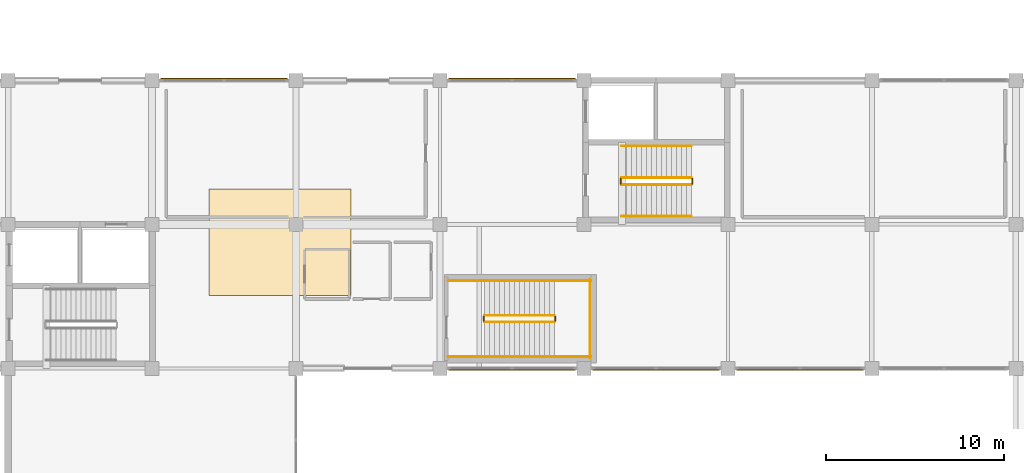
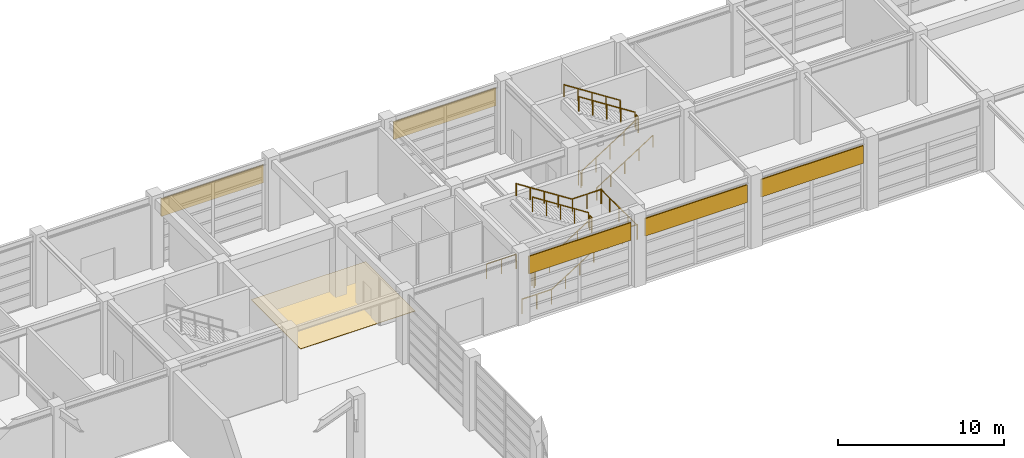
# One storey, part 50 of 52: 17 railings, 5 shading devices, 1 covering.
"""IFC4 building model written with IfcOpenShell, lengths in metres."""

from ifc_helpers import new_model, si_unit, direction, frame, origin, origin_2d, place, context, subcontext, project, spatial, rectangle, circle, extrude, material, layer, layer_set, type_object, element, save


model = new_model("IFC4")

# Units and contexts
model_context = context("Model", 3, precision=1e-05, world=origin(), true_north=direction((0.0, 1.0)))
body_context = subcontext(model_context, "Body", "Model", "MODEL_VIEW")
ifc_project = project(units=[si_unit("LENGTHUNIT", "METRE"), si_unit("AREAUNIT", "SQUARE_METRE"), si_unit("VOLUMEUNIT", "CUBIC_METRE"), si_unit("PLANEANGLEUNIT", "RADIAN"), si_unit("MASSUNIT", "GRAM", prefix="KILO")], contexts=[model_context])

# Site, building, storey
site_placement = place(None, origin())
site = spatial("IfcSite", under=ifc_project, at=site_placement, CompositionType="ELEMENT")
building_placement = place(site_placement, origin())
building = spatial("IfcBuilding", under=site, at=building_placement, Name="Parian Resonance Hall", CompositionType="ELEMENT")
storey_placement = place(building_placement, origin())
storey = spatial("IfcBuildingStorey", under=building, at=storey_placement, Name="L00", CompositionType="ELEMENT", Elevation=0.0)

# Covering
ifc_material_1 = material(Name="Cebu marble-chip lime terrazzo flooring", Category="masonry")
ifc_layer_1 = layer(ifc_material_1, 0.030029296875)
ifc_layer_set_1 = layer_set([ifc_layer_1], Name="Cebu marble-chip lime terrazzo flooring")
covering_type = type_object("IfcCoveringType", Name="COV-FLOOR-TERRAZZO", PredefinedType="FLOORING", material=ifc_layer_set_1)
covering_placement = place(storey_placement, frame((72.0, 80.0, 0.0), z_axis=(0.0, 0.0, 1.0), x_axis=(1.0, 0.0, 0.0)))
element("IfcCovering", 1, at=covering_placement, inside=storey, type_object=covering_type, Name="Cloister Gallery terrazzo flooring", PredefinedType="FLOORING", context=body_context, shape_type="SweptSolid", body=[
    extrude(rectangle(XDim=8.0, YDim=6.0, at=origin_2d()), origin(), (0.0, 0.0, 1.0), 0.030029296875),
])

# Railings
ifc_material_2 = material(Name="Patinated bronze whiplash metalwork")
railing_type_1 = type_object("IfcRailingType", Name="RAIL-HALL-BAL-1120", PredefinedType="BALUSTRADE", material=ifc_material_2)
railing_1_placement = place(storey_placement, frame((83.510009765625, 75.510009765625, 0.179931640625)))
element("IfcRailing", 2, at=railing_1_placement, inside=storey, type_object=railing_type_1, Name="L00 ST-08 stair guard 1", PredefinedType="BALUSTRADE", context=body_context, shape_type="SweptSolid", body=[
    extrude(circle(Radius=0.02392578125, at=origin_2d()), frame((0.0, 0.0, 1.076171875), z_axis=(0.841171666519, 0.0, 0.540768182723), x_axis=(0.0, 1.0, 0.0)), (0.0, 0.0, 1.0), 4.66015625),
    extrude(circle(Radius=0.02099609375, at=origin_2d()), origin(), (0.0, 0.0, 1.0), 1.052001953125),
    extrude(circle(Radius=0.02099609375, at=origin_2d()), frame((0.97998046875, 0.0, 0.6298828125)), (0.0, 0.0, 1.0), 1.052001953125),
    extrude(circle(Radius=0.02099609375, at=origin_2d()), frame((1.9599609375, 0.0, 1.260009765625)), (0.0, 0.0, 1.0), 1.052001953125),
    extrude(circle(Radius=0.02099609375, at=origin_2d()), frame((2.93994140625, 0.0, 1.89013671875)), (0.0, 0.0, 1.0), 1.052001953125),
    extrude(circle(Radius=0.02099609375, at=origin_2d()), frame((3.919921875, 0.0, 2.52001953125)), (0.0, 0.0, 1.0), 1.052001953125),
])
railing_2_placement = place(storey_placement, frame((87.47998046875, 75.56005859375, 2.699951171875)))
element("IfcRailing", 3, at=railing_2_placement, inside=storey, type_object=railing_type_1, Name="L00 ST-08 stair guard 2", PredefinedType="BALUSTRADE", context=body_context, shape_type="SweptSolid", body=[
    extrude(circle(Radius=0.02392578125, at=origin_2d()), frame((0.0, 0.0, 1.076171875), z_axis=(0.0, 1.0, 0.0), x_axis=(-1.0, 0.0, 0.0)), (0.0, 0.0, 1.0), 0.260009765625),
    extrude(circle(Radius=0.02099609375, at=origin_2d()), origin(), (0.0, 0.0, 1.0), 1.052001953125),
    extrude(circle(Radius=0.02099609375, at=origin_2d()), frame((0.0, 0.260009765625, 0.0)), (0.0, 0.0, 1.0), 1.052001953125),
])
for number, where, name in (
    (4, (87.429931640625, 73.550048828125, 2.699951171875), "L00 ST-08 stair guard 3"),
    (5, (87.429931640625, 77.830078125, 2.699951171875), "L00 ST-08 stair guard 4"),
):
    element("IfcRailing", number, at=place(storey_placement, frame(where)), inside=storey, type_object=railing_type_1, Name=name, PredefinedType="BALUSTRADE", context=body_context, shape_type="SweptSolid", body=[
        extrude(circle(Radius=0.02392578125, at=origin_2d()), frame((0.0, 0.0, 1.076171875), z_axis=(1.0, 0.0, 0.0), x_axis=(0.0, 1.0, 0.0)), (0.0, 0.0, 1.0), 2.06005859375),
        extrude(circle(Radius=0.02099609375, at=origin_2d()), origin(), (0.0, 0.0, 1.0), 1.052001953125),
        extrude(circle(Radius=0.02099609375, at=origin_2d()), frame((1.030029296875, 0.0, 0.0)), (0.0, 0.0, 1.0), 1.052001953125),
        extrude(circle(Radius=0.02099609375, at=origin_2d()), frame((2.06005859375, 0.0, 0.0)), (0.0, 0.0, 1.0), 1.052001953125),
    ])
railing_3_placement = place(storey_placement, frame((89.43994140625, 73.5, 2.699951171875)))
element("IfcRailing", 6, at=railing_3_placement, inside=storey, type_object=railing_type_1, Name="L00 ST-08 stair guard 5", PredefinedType="BALUSTRADE", context=body_context, shape_type="SweptSolid", body=[
    extrude(circle(Radius=0.02392578125, at=origin_2d()), frame((0.0, 0.0, 1.076171875), z_axis=(0.0, 1.0, 0.0), x_axis=(-1.0, 0.0, 0.0)), (0.0, 0.0, 1.0), 4.3798828125),
    extrude(circle(Radius=0.02099609375, at=origin_2d()), origin(), (0.0, 0.0, 1.0), 1.052001953125),
    extrude(circle(Radius=0.02099609375, at=origin_2d()), frame((0.0, 1.094970703125, 0.0)), (0.0, 0.0, 1.0), 1.052001953125),
    extrude(circle(Radius=0.02099609375, at=origin_2d()), frame((0.0, 2.18994140625, 0.0)), (0.0, 0.0, 1.0), 1.052001953125),
    extrude(circle(Radius=0.02099609375, at=origin_2d()), frame((0.0, 3.284912109375, 0.0)), (0.0, 0.0, 1.0), 1.052001953125),
    extrude(circle(Radius=0.02099609375, at=origin_2d()), frame((0.0, 4.3798828125, 0.0)), (0.0, 0.0, 1.0), 1.052001953125),
])
railing_4_placement = place(storey_placement, frame((87.429931640625, 75.8701171875, 2.8798828125)))
element("IfcRailing", 7, at=railing_4_placement, inside=storey, type_object=railing_type_1, Name="L00 ST-08 stair guard 6", PredefinedType="BALUSTRADE", context=body_context, shape_type="SweptSolid", body=[
    extrude(circle(Radius=0.02392578125, at=origin_2d()), frame((0.0, 0.0, 1.076171875), z_axis=(-0.841171666519, 0.0, 0.540768182723), x_axis=(0.0, -1.0, 0.0)), (0.0, 0.0, 1.0), 4.66015625),
    extrude(circle(Radius=0.02099609375, at=origin_2d()), origin(), (0.0, 0.0, 1.0), 1.052001953125),
    extrude(circle(Radius=0.02099609375, at=origin_2d()), frame((-0.97998046875, 0.0, 0.6298828125)), (0.0, 0.0, 1.0), 1.052001953125),
    extrude(circle(Radius=0.02099609375, at=origin_2d()), frame((-1.9599609375, 0.0, 1.260009765625)), (0.0, 0.0, 1.0), 1.052001953125),
    extrude(circle(Radius=0.02099609375, at=origin_2d()), frame((-2.93994140625, 0.0, 1.89013671875)), (0.0, 0.0, 1.0), 1.052001953125),
    extrude(circle(Radius=0.02099609375, at=origin_2d()), frame((-3.919921875, 0.0, 2.52001953125)), (0.0, 0.0, 1.0), 1.052001953125),
])
railing_5_placement = place(storey_placement, frame((83.4599609375, 75.56005859375, 0.0)))
element("IfcRailing", 8, at=railing_5_placement, inside=storey, type_object=railing_type_1, Name="L00 ST-08 stair guard 7", PredefinedType="BALUSTRADE", context=body_context, shape_type="SweptSolid", body=[
    extrude(circle(Radius=0.02392578125, at=origin_2d()), frame((0.0, 0.0, 1.076171875), z_axis=(0.0, 1.0, 0.0), x_axis=(-1.0, 0.0, 0.0)), (0.0, 0.0, 1.0), 0.260009765625),
    extrude(circle(Radius=0.02099609375, at=origin_2d()), origin(), (0.0, 0.0, 1.0), 1.052001953125),
    extrude(circle(Radius=0.02099609375, at=origin_2d()), frame((0.0, 0.260009765625, 0.0)), (0.0, 0.0, 1.0), 1.052001953125),
])
for number, where, name in (
    (9, (81.449951171875, 73.550048828125, 0.0), "L00 ST-08 stair guard 8"),
    (10, (81.449951171875, 77.830078125, 0.0), "L00 ST-08 stair guard 9"),
):
    element("IfcRailing", number, at=place(storey_placement, frame(where)), inside=storey, type_object=railing_type_1, Name=name, PredefinedType="BALUSTRADE", context=body_context, shape_type="SweptSolid", body=[
        extrude(circle(Radius=0.02392578125, at=origin_2d()), frame((0.0, 0.0, 1.076171875), z_axis=(1.0, 0.0, 0.0), x_axis=(0.0, 1.0, 0.0)), (0.0, 0.0, 1.0), 2.06005859375),
        extrude(circle(Radius=0.02099609375, at=origin_2d()), origin(), (0.0, 0.0, 1.0), 1.052001953125),
        extrude(circle(Radius=0.02099609375, at=origin_2d()), frame((1.030029296875, 0.0, 0.0)), (0.0, 0.0, 1.0), 1.052001953125),
        extrude(circle(Radius=0.02099609375, at=origin_2d()), frame((2.06005859375, 0.0, 0.0)), (0.0, 0.0, 1.0), 1.052001953125),
    ])
ifc_material_3 = material(Name="Patinated bronze whiplash metalwork")
railing_type_2 = type_object("IfcRailingType", Name="RAIL-STAIR-GRD-1100", PredefinedType="GUARDRAIL", material=ifc_material_3)
railing_6_placement = place(storey_placement, frame((91.219970703125, 83.22998046875, 0.179931640625)))
element("IfcRailing", 11, at=railing_6_placement, inside=storey, type_object=railing_type_2, Name="L00 ST-05 stair guard 1", PredefinedType="GUARDRAIL", context=body_context, shape_type="SweptSolid", body=[
    extrude(circle(Radius=0.02392578125, at=origin_2d()), frame((0.0, 0.0, 1.076171875), z_axis=(0.841171666519, 0.0, 0.540768182723), x_axis=(0.0, 1.0, 0.0)), (0.0, 0.0, 1.0), 4.66015625),
    extrude(circle(Radius=0.02099609375, at=origin_2d()), origin(), (0.0, 0.0, 1.0), 1.052001953125),
    extrude(circle(Radius=0.02099609375, at=origin_2d()), frame((0.97998046875, 0.0, 0.6298828125)), (0.0, 0.0, 1.0), 1.052001953125),
    extrude(circle(Radius=0.02099609375, at=origin_2d()), frame((1.9599609375, 0.0, 1.260009765625)), (0.0, 0.0, 1.0), 1.052001953125),
    extrude(circle(Radius=0.02099609375, at=origin_2d()), frame((2.93994140625, 0.0, 1.89013671875)), (0.0, 0.0, 1.0), 1.052001953125),
    extrude(circle(Radius=0.02099609375, at=origin_2d()), frame((3.919921875, 0.0, 2.52001953125)), (0.0, 0.0, 1.0), 1.052001953125),
])
railing_7_placement = place(storey_placement, frame((95.18994140625, 83.280029296875, 2.699951171875)))
element("IfcRailing", 12, at=railing_7_placement, inside=storey, type_object=railing_type_2, Name="L00 ST-05 stair guard 2", PredefinedType="GUARDRAIL", context=body_context, shape_type="SweptSolid", body=[
    extrude(circle(Radius=0.02392578125, at=origin_2d()), frame((0.0, 0.0, 1.076171875), z_axis=(0.0, 1.0, 0.0), x_axis=(-1.0, 0.0, 0.0)), (0.0, 0.0, 1.0), 0.300048828125),
    extrude(circle(Radius=0.02099609375, at=origin_2d()), origin(), (0.0, 0.0, 1.0), 1.052001953125),
    extrude(circle(Radius=0.02099609375, at=origin_2d()), frame((0.0, 0.300048828125, 0.0)), (0.0, 0.0, 1.0), 1.052001953125),
])
railing_8_placement = place(storey_placement, frame((95.139892578125, 83.6298828125, 2.8798828125)))
element("IfcRailing", 13, at=railing_8_placement, inside=storey, type_object=railing_type_2, Name="L00 ST-05 stair guard 3", PredefinedType="GUARDRAIL", context=body_context, shape_type="SweptSolid", body=[
    extrude(circle(Radius=0.02392578125, at=origin_2d()), frame((0.0, 0.0, 1.076171875), z_axis=(-0.841171666519, 0.0, 0.540768182723), x_axis=(0.0, -1.0, 0.0)), (0.0, 0.0, 1.0), 4.66015625),
    extrude(circle(Radius=0.02099609375, at=origin_2d()), origin(), (0.0, 0.0, 1.0), 1.052001953125),
    extrude(circle(Radius=0.02099609375, at=origin_2d()), frame((-0.97998046875, 0.0, 0.6298828125)), (0.0, 0.0, 1.0), 1.052001953125),
    extrude(circle(Radius=0.02099609375, at=origin_2d()), frame((-1.9599609375, 0.0, 1.260009765625)), (0.0, 0.0, 1.0), 1.052001953125),
    extrude(circle(Radius=0.02099609375, at=origin_2d()), frame((-2.93994140625, 0.0, 1.89013671875)), (0.0, 0.0, 1.0), 1.052001953125),
    extrude(circle(Radius=0.02099609375, at=origin_2d()), frame((-3.919921875, 0.0, 2.52001953125)), (0.0, 0.0, 1.0), 1.052001953125),
])
railing_9_placement = place(storey_placement, frame((91.169921875, 83.280029296875, 0.0)))
element("IfcRailing", 14, at=railing_9_placement, inside=storey, type_object=railing_type_2, Name="L00 ST-05 stair guard 4", PredefinedType="GUARDRAIL", context=body_context, shape_type="SweptSolid", body=[
    extrude(circle(Radius=0.02392578125, at=origin_2d()), frame((0.0, 0.0, 1.076171875), z_axis=(0.0, 1.0, 0.0), x_axis=(-1.0, 0.0, 0.0)), (0.0, 0.0, 1.0), 0.300048828125),
    extrude(circle(Radius=0.02099609375, at=origin_2d()), origin(), (0.0, 0.0, 1.0), 1.052001953125),
    extrude(circle(Radius=0.02099609375, at=origin_2d()), frame((0.0, 0.300048828125, 0.0)), (0.0, 0.0, 1.0), 1.052001953125),
])
ifc_material_4 = material(Name="Patinated bronze whiplash metalwork")
railing_type_3 = type_object("IfcRailingType", Name="RAIL-STAIR-HR-900", PredefinedType="HANDRAIL", material=ifc_material_4)
railing_10_placement = place(storey_placement, frame((91.219970703125, 81.449951171875, 0.179931640625)))
element("IfcRailing", 15, at=railing_10_placement, inside=storey, type_object=railing_type_3, Name="L00 ST-05 stair handrail 1", PredefinedType="HANDRAIL", context=body_context, shape_type="SweptSolid", body=[
    extrude(circle(Radius=0.02392578125, at=origin_2d()), frame((0.0, 0.0, 0.8759765625), z_axis=(0.841171666519, 0.0, 0.540768182723), x_axis=(0.0, 1.0, 0.0)), (0.0, 0.0, 1.0), 4.66015625),
    extrude(circle(Radius=0.02099609375, at=origin_2d()), origin(), (0.0, 0.0, 1.0), 0.851806640625),
    extrude(circle(Radius=0.02099609375, at=origin_2d()), frame((0.97998046875, 0.0, 0.6298828125)), (0.0, 0.0, 1.0), 0.851806640625),
    extrude(circle(Radius=0.02099609375, at=origin_2d()), frame((1.9599609375, 0.0, 1.260009765625)), (0.0, 0.0, 1.0), 0.851806640625),
    extrude(circle(Radius=0.02099609375, at=origin_2d()), frame((2.93994140625, 0.0, 1.89013671875)), (0.0, 0.0, 1.0), 0.851806640625),
    extrude(circle(Radius=0.02099609375, at=origin_2d()), frame((3.919921875, 0.0, 2.52001953125)), (0.0, 0.0, 1.0), 0.851806640625),
])
railing_11_placement = place(storey_placement, frame((95.139892578125, 85.409912109375, 2.8798828125)))
element("IfcRailing", 16, at=railing_11_placement, inside=storey, type_object=railing_type_3, Name="L00 ST-05 stair handrail 2", PredefinedType="HANDRAIL", context=body_context, shape_type="SweptSolid", body=[
    extrude(circle(Radius=0.02392578125, at=origin_2d()), frame((0.0, 0.0, 0.8759765625), z_axis=(-0.841171666519, 0.0, 0.540768182723), x_axis=(0.0, -1.0, 0.0)), (0.0, 0.0, 1.0), 4.66015625),
    extrude(circle(Radius=0.02099609375, at=origin_2d()), origin(), (0.0, 0.0, 1.0), 0.851806640625),
    extrude(circle(Radius=0.02099609375, at=origin_2d()), frame((-0.97998046875, 0.0, 0.6298828125)), (0.0, 0.0, 1.0), 0.851806640625),
    extrude(circle(Radius=0.02099609375, at=origin_2d()), frame((-1.9599609375, 0.0, 1.260009765625)), (0.0, 0.0, 1.0), 0.851806640625),
    extrude(circle(Radius=0.02099609375, at=origin_2d()), frame((-2.93994140625, 0.0, 1.89013671875)), (0.0, 0.0, 1.0), 0.851806640625),
    extrude(circle(Radius=0.02099609375, at=origin_2d()), frame((-3.919921875, 0.0, 2.52001953125)), (0.0, 0.0, 1.0), 0.851806640625),
])
railing_12_placement = place(storey_placement, frame((83.510009765625, 73.550048828125, 0.179931640625)))
element("IfcRailing", 17, at=railing_12_placement, inside=storey, type_object=railing_type_3, Name="L00 ST-08 stair handrail 1", PredefinedType="HANDRAIL", context=body_context, shape_type="SweptSolid", body=[
    extrude(circle(Radius=0.02392578125, at=origin_2d()), frame((0.0, 0.0, 0.8759765625), z_axis=(0.841171666519, 0.0, 0.540768182723), x_axis=(0.0, 1.0, 0.0)), (0.0, 0.0, 1.0), 4.66015625),
    extrude(circle(Radius=0.02099609375, at=origin_2d()), origin(), (0.0, 0.0, 1.0), 0.851806640625),
    extrude(circle(Radius=0.02099609375, at=origin_2d()), frame((0.97998046875, 0.0, 0.6298828125)), (0.0, 0.0, 1.0), 0.851806640625),
    extrude(circle(Radius=0.02099609375, at=origin_2d()), frame((1.9599609375, 0.0, 1.260009765625)), (0.0, 0.0, 1.0), 0.851806640625),
    extrude(circle(Radius=0.02099609375, at=origin_2d()), frame((2.93994140625, 0.0, 1.89013671875)), (0.0, 0.0, 1.0), 0.851806640625),
    extrude(circle(Radius=0.02099609375, at=origin_2d()), frame((3.919921875, 0.0, 2.52001953125)), (0.0, 0.0, 1.0), 0.851806640625),
])
railing_13_placement = place(storey_placement, frame((87.429931640625, 77.830078125, 2.8798828125)))
element("IfcRailing", 18, at=railing_13_placement, inside=storey, type_object=railing_type_3, Name="L00 ST-08 stair handrail 2", PredefinedType="HANDRAIL", context=body_context, shape_type="SweptSolid", body=[
    extrude(circle(Radius=0.02392578125, at=origin_2d()), frame((0.0, 0.0, 0.8759765625), z_axis=(-0.841171666519, 0.0, 0.540768182723), x_axis=(0.0, -1.0, 0.0)), (0.0, 0.0, 1.0), 4.66015625),
    extrude(circle(Radius=0.02099609375, at=origin_2d()), origin(), (0.0, 0.0, 1.0), 0.851806640625),
    extrude(circle(Radius=0.02099609375, at=origin_2d()), frame((-0.97998046875, 0.0, 0.6298828125)), (0.0, 0.0, 1.0), 0.851806640625),
    extrude(circle(Radius=0.02099609375, at=origin_2d()), frame((-1.9599609375, 0.0, 1.260009765625)), (0.0, 0.0, 1.0), 0.851806640625),
    extrude(circle(Radius=0.02099609375, at=origin_2d()), frame((-2.93994140625, 0.0, 1.89013671875)), (0.0, 0.0, 1.0), 0.851806640625),
    extrude(circle(Radius=0.02099609375, at=origin_2d()), frame((-3.919921875, 0.0, 2.52001953125)), (0.0, 0.0, 1.0), 0.851806640625),
])

# Shading devices
ifc_material_5 = material(Name="Patinated bronze persiana louver")
ifc_layer_2 = layer(ifc_material_5, 0.080078125)
ifc_layer_set_2 = layer_set([ifc_layer_2], Name="Patinated bronze persiana louver")
shading_device_type = type_object("IfcShadingDeviceType", Name="SHD-PERSIANA-JAL", PredefinedType="JALOUSIE", material=ifc_layer_set_2)
for number, where, z_axis, x_axis, name in (
    (19, (68.85009765625, 89.172607421875, 3.376953125), (0.0, 0.0, 1.0), (1.0, 0.0, 0.0), "Bronze persiana storm jalousie L00-040"),
    (20, (85.050048828125, 89.16748046875, 3.376953125), (0.0, 0.0, 1.0), (1.0, 0.0, 0.0), "Bronze persiana storm jalousie L00-043"),
    (21, (85.050048828125, 72.827392578125, 3.376953125), (0.0, 0.0, 1.0), (-1.0, 0.0, 0.0), "Bronze persiana storm jalousie L00-050"),
    (22, (93.14990234375, 72.827392578125, 3.3251953125), (0.0, 0.0, 1.0), (-1.0, 0.0, 0.0), "Bronze persiana storm jalousie L00-052"),
    (23, (101.25, 72.827392578125, 3.376953125), (0.0, 0.0, 1.0), (-1.0, 0.0, 0.0), "Bronze persiana storm jalousie L00-054"),
):
    element("IfcShadingDevice", number, at=place(storey_placement, frame(where, z_axis=z_axis, x_axis=x_axis)), inside=storey, type_object=shading_device_type, Name=name, PredefinedType="JALOUSIE", context=body_context, shape_type="SweptSolid", body=[
        extrude(rectangle(XDim=7.139892578125, YDim=0.080078125, at=origin_2d()), origin(), (0.0, 0.0, 1.0), 1.300048828125),
    ])

save(model, "model.ifc")
